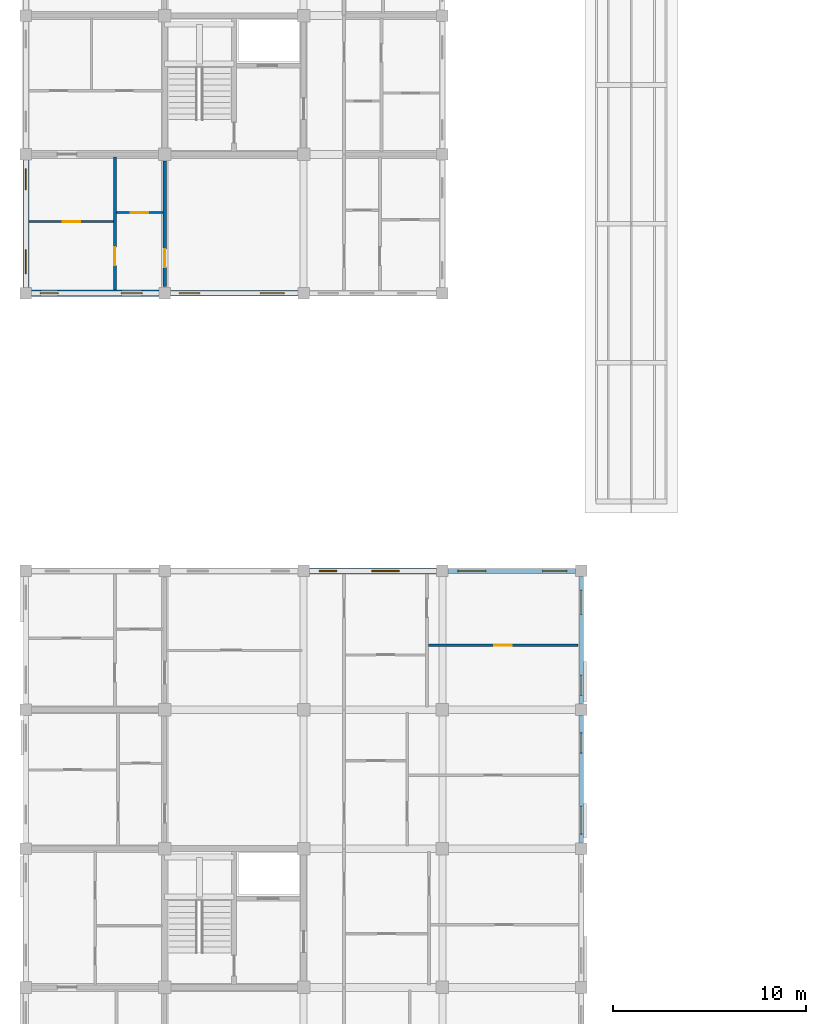
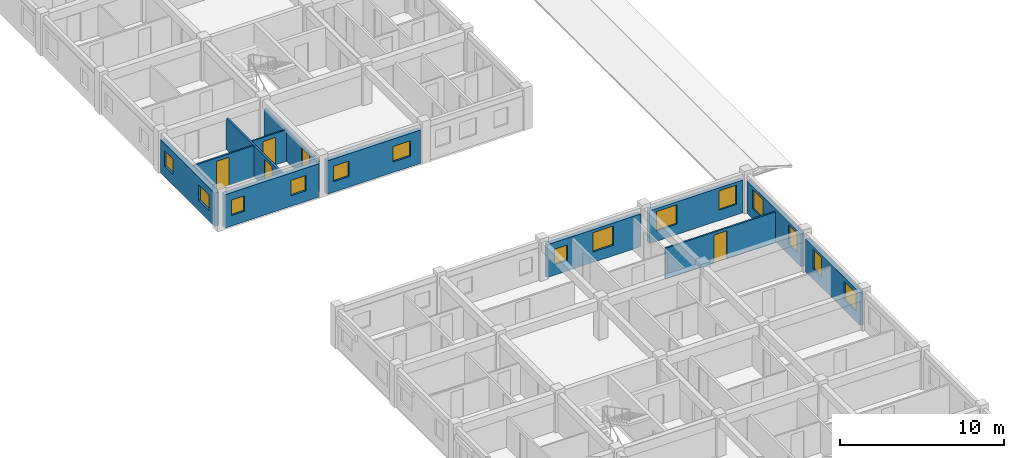
# One storey, part 19 of 50: 14 windows, 12 walls, 5 doors, 19 openings.
"""IFC4 building model written with IfcOpenShell, lengths in metres."""

from ifc_helpers import new_model, si_unit, direction, frame, frame_2d, origin, place, context, subcontext, project, spatial, rectangle, extrude, material, layer, layer_set, type_object, element, fill, save


model = new_model("IFC4")

# Units and contexts
model_context = context("Model", 3, precision=1e-05, world=origin(), true_north=direction((0.0, 1.0)))
body_context = subcontext(model_context, "Body", "Model", "MODEL_VIEW")
ifc_project = project(units=[si_unit("LENGTHUNIT", "METRE"), si_unit("AREAUNIT", "SQUARE_METRE"), si_unit("VOLUMEUNIT", "CUBIC_METRE"), si_unit("PLANEANGLEUNIT", "RADIAN"), si_unit("MASSUNIT", "GRAM", prefix="KILO"), si_unit("THERMODYNAMICTEMPERATUREUNIT", "KELVIN"), si_unit("POWERUNIT", "WATT")], contexts=[model_context])

# Site, building, storey
site_placement = place(None, origin())
site = spatial("IfcSite", under=ifc_project, at=site_placement, CompositionType="ELEMENT")
building_placement = place(site_placement, origin())
building = spatial("IfcBuilding", under=site, at=building_placement, Name="Tavuni Mirador Residences", CompositionType="ELEMENT")
storey_placement = place(building_placement, frame((0.0, 0.0, 4.5)))
storey = spatial("IfcBuildingStorey", under=building, at=storey_placement, Name="L01", CompositionType="ELEMENT", Elevation=4.5)

# Wall, opening, door
ifc_material_1 = material(Name="Precast concrete C40/50", Category="concrete")
ifc_layer_1 = layer(ifc_material_1, 0.1650390625, Name="Precast concrete C40/50", Category="concrete")
ifc_layer_set_1 = layer_set([ifc_layer_1], Name="Precast concrete C40/50")
wall_type_1 = type_object("IfcWallType", Name="WT-CORR165", PredefinedType="PARTITIONING", material=ifc_layer_set_1)
wall_1_placement = place(storey_placement, frame((10.800048828125, 65.14990234375, 0.0), z_axis=(0.0, 0.0, 1.0), x_axis=(0.0, 1.0, 0.0)))
wall_1 = element("IfcWall", 1, at=wall_1_placement, inside=storey, type_object=wall_type_1, Name="CORW-BLK-B-L01-1-00", PredefinedType="PARTITIONING", context=body_context, shape_type="SweptSolid", body=[
    extrude(rectangle(XDim=6.5, YDim=0.1650390625, at=frame_2d((3.25, 0.0))), origin(), (0.0, 0.0, 1.0), 2.260009765625),
])
opening_1_placement = place(wall_1_placement, frame((1.0, 0.0, 0.0)))
opening_1 = element("IfcOpeningElement", 2, at=opening_1_placement, cuts=wall_1, Name="Opening D-19", PredefinedType="OPENING", context=body_context, shape_type="SweptSolid", body=[
    extrude(rectangle(XDim=0.93994140625, YDim=2.1201171875, at=frame_2d((0.469970703125, 1.06005859375))), frame((0.0, 0.092529296875, 0.0), z_axis=(0.0, -1.0, 0.0), x_axis=(1.0, 0.0, 0.0)), (0.0, 0.0, 1.0), 0.18505859375),
])
ifc_material_2 = material(Name="Solid core iroko timber", Category="wood")
door_type_1 = type_object("IfcDoorType", Name="DT-FD60-940", OperationType="NOTDEFINED", PredefinedType="DOOR", material=ifc_material_2)
door_1_placement = place(opening_1_placement, origin())
door_1 = element("IfcDoor", 3, at=door_1_placement, inside=storey, type_object=door_type_1, Name="DR-2542", OperationType="SINGLE_SWING_LEFT", OverallHeight=2.1201171875, OverallWidth=0.93994140625, PredefinedType="DOOR", context=body_context, shape_type="SweptSolid", body=[
    extrude(rectangle(XDim=0.93994140625, YDim=2.1201171875, at=frame_2d((0.469970703125, 1.06005859375))), frame((0.0, 0.02490234375, 0.0), z_axis=(0.0, -1.0, 0.0), x_axis=(1.0, 0.0, 0.0)), (0.0, 0.0, 1.0), 0.050048828125),
])
fill(opening_1, door_1)

# Wall, openings, windows
ifc_material_3 = material(Name="Sgraffito lime-rendered precast concrete C40/50", Category="concrete")
ifc_layer_2 = layer(ifc_material_3, 0.2451171875, Name="Sgraffito lime-rendered precast concrete C40/50", Category="concrete")
ifc_layer_set_2 = layer_set([ifc_layer_2], Name="Sgraffito lime-rendered precast concrete C40/50")
wall_type_2 = type_object("IfcWallType", Name="WT-EXT-PC245", PredefinedType="SOLIDWALL", material=ifc_layer_set_2)
wall_2_placement = place(storey_placement, frame((32.39990234375, 43.5, 0.0), z_axis=(0.0, 0.0, 1.0), x_axis=(0.0, 1.0, 0.0)))
wall_2 = element("IfcWall", 4, at=wall_2_placement, inside=storey, type_object=wall_type_2, Name="EW-BLK-A-L01-E05", PredefinedType="SOLIDWALL", context=body_context, shape_type="SweptSolid", body=[
    extrude(rectangle(XDim=6.60009765625, YDim=0.2451171875, at=frame_2d((3.300048828125, 0.0))), origin(), (0.0, 0.0, 1.0), 2.43994140625),
])
opening_2_placement = place(wall_2_placement, frame((0.449951171875, 0.0, 0.780029296875)))
opening_2 = element("IfcOpeningElement", 5, at=opening_2_placement, cuts=wall_2, Name="Opening WN-26", PredefinedType="OPENING", context=body_context, shape_type="SweptSolid", body=[
    extrude(rectangle(XDim=1.050048828125, YDim=1.43994140625, at=frame_2d((0.52490234375, 0.719970703125))), frame((0.0, 0.132568359375, 0.0), z_axis=(0.0, -1.0, 0.0), x_axis=(1.0, 0.0, 0.0)), (0.0, 0.0, 1.0), 0.26513671875),
])
opening_3_placement = place(wall_2_placement, frame((4.64990234375, 0.0, 0.780029296875)))
opening_3 = element("IfcOpeningElement", 6, at=opening_3_placement, cuts=wall_2, Name="Opening WN-28", PredefinedType="OPENING", context=body_context, shape_type="SweptSolid", body=[
    extrude(rectangle(XDim=1.25, YDim=1.43994140625, at=frame_2d((0.625, 0.719970703125))), frame((0.0, 0.132568359375, 0.0), z_axis=(0.0, -1.0, 0.0), x_axis=(1.0, 0.0, 0.0)), (0.0, 0.0, 1.0), 0.26513671875),
])
ifc_material_4 = material(Name="Laminated solar-control glass", Category="glass")
window_type_1 = type_object("IfcWindowType", Name="WNT-26", PartitioningType="SINGLE_PANEL", PredefinedType="WINDOW", material=ifc_material_4)
window_1_placement = place(opening_2_placement, origin())
window_1 = element("IfcWindow", 7, at=window_1_placement, inside=storey, type_object=window_type_1, Name="WIN-0054", OverallHeight=1.43994140625, OverallWidth=1.050048828125, PartitioningType="SINGLE_PANEL", PredefinedType="WINDOW", context=body_context, shape_type="SweptSolid", body=[
    extrude(rectangle(XDim=1.050048828125, YDim=1.43994140625, at=frame_2d((0.52490234375, 0.719970703125))), frame((0.0, 0.030029296875, 0.0), z_axis=(0.0, -1.0, 0.0), x_axis=(1.0, 0.0, 0.0)), (0.0, 0.0, 1.0), 0.06005859375),
])
fill(opening_2, window_1)
window_type_2 = type_object("IfcWindowType", Name="WNT-28", PartitioningType="SINGLE_PANEL", PredefinedType="WINDOW", material=ifc_material_4)
window_2_placement = place(opening_3_placement, origin())
window_2 = element("IfcWindow", 8, at=window_2_placement, inside=storey, type_object=window_type_2, Name="WIN-0055", OverallHeight=1.43994140625, OverallWidth=1.25, PartitioningType="SINGLE_PANEL", PredefinedType="WINDOW", context=body_context, shape_type="SweptSolid", body=[
    extrude(rectangle(XDim=1.25, YDim=1.43994140625, at=frame_2d((0.625, 0.719970703125))), frame((0.0, 0.030029296875, 0.0), z_axis=(0.0, -1.0, 0.0), x_axis=(1.0, 0.0, 0.0)), (0.0, 0.0, 1.0), 0.06005859375),
])
fill(opening_3, window_2)

ifc_layer_3 = layer(ifc_material_3, 0.2548828125, Name="Sgraffito lime-rendered precast concrete C40/50", Category="concrete")
ifc_layer_set_3 = layer_set([ifc_layer_3], Name="Sgraffito lime-rendered precast concrete C40/50")
wall_type_3 = type_object("IfcWallType", Name="WT-EXT-PC255", PredefinedType="SOLIDWALL", material=ifc_layer_set_3)
wall_3_placement = place(storey_placement, frame((32.39990234375, 36.300048828125, 0.0), z_axis=(0.0, 0.0, 1.0), x_axis=(0.0, 1.0, 0.0)))
wall_3 = element("IfcWall", 9, at=wall_3_placement, inside=storey, type_object=wall_type_3, Name="EW-BLK-A-L01-E04", PredefinedType="SOLIDWALL", context=body_context, shape_type="SweptSolid", body=[
    extrude(rectangle(XDim=6.599853515625, YDim=0.2548828125, at=frame_2d((3.2998046875, 0.0))), origin(), (0.0, 0.0, 1.0), 2.43994140625),
])
opening_4_placement = place(wall_3_placement, frame((0.449951171875, 0.0, 0.780029296875)))
opening_4 = element("IfcOpeningElement", 10, at=opening_4_placement, cuts=wall_3, Name="Opening WN-24", PredefinedType="OPENING", context=body_context, shape_type="SweptSolid", body=[
    extrude(rectangle(XDim=1.4599609375, YDim=1.360107421875, at=frame_2d((0.72998046875, 0.68017578125))), frame((0.0, 0.137451171875, 0.0), z_axis=(0.0, -1.0, 0.0), x_axis=(1.0, 0.0, 0.0)), (0.0, 0.0, 1.0), 0.27490234375),
])
opening_5_placement = place(wall_3_placement, frame((4.64990234375, 0.0, 0.780029296875)))
opening_5 = element("IfcOpeningElement", 11, at=opening_5_placement, cuts=wall_3, Name="Opening WN-26", PredefinedType="OPENING", context=body_context, shape_type="SweptSolid", body=[
    extrude(rectangle(XDim=1.050048828125, YDim=1.43994140625, at=frame_2d((0.52490234375, 0.719970703125))), frame((0.0, 0.137451171875, 0.0), z_axis=(0.0, -1.0, 0.0), x_axis=(1.0, 0.0, 0.0)), (0.0, 0.0, 1.0), 0.27490234375),
])
window_type_3 = type_object("IfcWindowType", Name="WNT-24", PartitioningType="SINGLE_PANEL", PredefinedType="WINDOW", material=ifc_material_4)
window_3_placement = place(opening_4_placement, origin())
window_3 = element("IfcWindow", 12, at=window_3_placement, inside=storey, type_object=window_type_3, Name="WIN-0052", OverallHeight=1.360107421875, OverallWidth=1.4599609375, PartitioningType="SINGLE_PANEL", PredefinedType="WINDOW", context=body_context, shape_type="SweptSolid", body=[
    extrude(rectangle(XDim=1.4599609375, YDim=1.360107421875, at=frame_2d((0.72998046875, 0.68017578125))), frame((0.0, 0.030029296875, 0.0), z_axis=(0.0, -1.0, 0.0), x_axis=(1.0, 0.0, 0.0)), (0.0, 0.0, 1.0), 0.06005859375),
])
fill(opening_4, window_3)
window_4_placement = place(opening_5_placement, origin())
window_4 = element("IfcWindow", 13, at=window_4_placement, inside=storey, type_object=window_type_1, Name="WIN-0053", OverallHeight=1.43994140625, OverallWidth=1.050048828125, PartitioningType="SINGLE_PANEL", PredefinedType="WINDOW", context=body_context, shape_type="SweptSolid", body=[
    extrude(rectangle(XDim=1.050048828125, YDim=1.43994140625, at=frame_2d((0.52490234375, 0.719970703125))), frame((0.0, 0.030029296875, 0.0), z_axis=(0.0, -1.0, 0.0), x_axis=(1.0, 0.0, 0.0)), (0.0, 0.0, 1.0), 0.06005859375),
])
fill(opening_5, window_4)

ifc_layer_4 = layer(ifc_material_3, 0.27490234375, Name="Sgraffito lime-rendered precast concrete C40/50", Category="concrete")
ifc_layer_set_4 = layer_set([ifc_layer_4], Name="Sgraffito lime-rendered precast concrete C40/50")
wall_type_4 = type_object("IfcWallType", Name="WT-EXT-PC275", PredefinedType="SOLIDWALL", material=ifc_layer_set_4)
wall_4_placement = place(storey_placement, frame((32.10009765625, 50.39990234375, 0.0), z_axis=(0.0, 0.0, 1.0), x_axis=(-1.0, 0.0, 0.0)))
wall_4 = element("IfcWall", 14, at=wall_4_placement, inside=storey, type_object=wall_type_4, Name="EW-BLK-A-L01-N03", PredefinedType="SOLIDWALL", context=body_context, shape_type="SweptSolid", body=[
    extrude(rectangle(XDim=6.60009765625, YDim=0.27490234375, at=frame_2d((3.300048828125, 0.0))), origin(), (0.0, 0.0, 1.0), 2.43994140625),
])
opening_6_placement = place(wall_4_placement, frame((0.449951171875, 0.0, 0.780029296875)))
opening_6 = element("IfcOpeningElement", 15, at=opening_6_placement, cuts=wall_4, Name="Opening WN-28", PredefinedType="OPENING", context=body_context, shape_type="SweptSolid", body=[
    extrude(rectangle(XDim=1.25, YDim=1.43994140625, at=frame_2d((0.625, 0.719970703125))), frame((0.0, 0.1474609375, 0.0), z_axis=(0.0, -1.0, 0.0), x_axis=(1.0, 0.0, 0.0)), (0.0, 0.0, 1.0), 0.294921875),
])
opening_7_placement = place(wall_4_placement, frame((4.64990234375, 0.0, 0.780029296875)))
opening_7 = element("IfcOpeningElement", 16, at=opening_7_placement, cuts=wall_4, Name="Opening WN-30", PredefinedType="OPENING", context=body_context, shape_type="SweptSolid", body=[
    extrude(rectangle(XDim=1.449951171875, YDim=1.43994140625, at=frame_2d((0.72509765625, 0.719970703125))), frame((0.0, 0.1474609375, 0.0), z_axis=(0.0, -1.0, 0.0), x_axis=(1.0, 0.0, 0.0)), (0.0, 0.0, 1.0), 0.294921875),
])
window_5_placement = place(opening_6_placement, origin())
window_5 = element("IfcWindow", 17, at=window_5_placement, inside=storey, type_object=window_type_2, Name="WIN-0056", OverallHeight=1.43994140625, OverallWidth=1.25, PartitioningType="SINGLE_PANEL", PredefinedType="WINDOW", context=body_context, shape_type="SweptSolid", body=[
    extrude(rectangle(XDim=1.25, YDim=1.43994140625, at=frame_2d((0.625, 0.719970703125))), frame((0.0, 0.030029296875, 0.0), z_axis=(0.0, -1.0, 0.0), x_axis=(1.0, 0.0, 0.0)), (0.0, 0.0, 1.0), 0.06005859375),
])
fill(opening_6, window_5)
window_type_4 = type_object("IfcWindowType", Name="WNT-30", PartitioningType="SINGLE_PANEL", PredefinedType="WINDOW", material=ifc_material_4)
window_6_placement = place(opening_7_placement, origin())
window_6 = element("IfcWindow", 18, at=window_6_placement, inside=storey, type_object=window_type_4, Name="WIN-0057", OverallHeight=1.43994140625, OverallWidth=1.449951171875, PartitioningType="SINGLE_PANEL", PredefinedType="WINDOW", context=body_context, shape_type="SweptSolid", body=[
    extrude(rectangle(XDim=1.449951171875, YDim=1.43994140625, at=frame_2d((0.72509765625, 0.719970703125))), frame((0.0, 0.030029296875, 0.0), z_axis=(0.0, -1.0, 0.0), x_axis=(1.0, 0.0, 0.0)), (0.0, 0.0, 1.0), 0.06005859375),
])
fill(opening_7, window_6)

ifc_layer_5 = layer(ifc_material_3, 0.2900390625, Name="Sgraffito lime-rendered precast concrete C40/50", Category="concrete")
ifc_layer_set_5 = layer_set([ifc_layer_5], Name="Sgraffito lime-rendered precast concrete C40/50")
wall_type_5 = type_object("IfcWallType", Name="WT-EXT-PC290", PredefinedType="SOLIDWALL", material=ifc_layer_set_5)
wall_5_placement = place(storey_placement, frame((24.89990234375, 50.39990234375, 0.0), z_axis=(0.0, 0.0, 1.0), x_axis=(-1.0, 0.0, 0.0)))
wall_5 = element("IfcWall", 19, at=wall_5_placement, inside=storey, type_object=wall_type_5, Name="EW-BLK-A-L01-N02", PredefinedType="SOLIDWALL", context=body_context, shape_type="SweptSolid", body=[
    extrude(rectangle(XDim=6.599853515625, YDim=0.2900390625, at=frame_2d((3.2998046875, 0.0))), origin(), (0.0, 0.0, 1.0), 2.43994140625),
])
opening_8_placement = place(wall_5_placement, frame((1.925048828125, 0.0, 0.780029296875)))
opening_8 = element("IfcOpeningElement", 20, at=opening_8_placement, cuts=wall_5, Name="Opening WN-30", PredefinedType="OPENING", context=body_context, shape_type="SweptSolid", body=[
    extrude(rectangle(XDim=1.449951171875, YDim=1.43994140625, at=frame_2d((0.72509765625, 0.719970703125))), frame((0.0, 0.155029296875, 0.0), z_axis=(0.0, -1.0, 0.0), x_axis=(1.0, 0.0, 0.0)), (0.0, 0.0, 1.0), 0.31005859375),
])
opening_9_placement = place(wall_5_placement, frame((5.169921875, 0.0, 0.780029296875)))
opening_9 = element("IfcOpeningElement", 21, at=opening_9_placement, cuts=wall_5, Name="Opening WN-02", PredefinedType="OPENING", context=body_context, shape_type="SweptSolid", body=[
    extrude(rectangle(XDim=0.919921875, YDim=1.14990234375, at=frame_2d((0.4599609375, 0.574951171875))), frame((0.0, 0.155029296875, 0.0), z_axis=(0.0, -1.0, 0.0), x_axis=(1.0, 0.0, 0.0)), (0.0, 0.0, 1.0), 0.31005859375),
])
window_type_5 = type_object("IfcWindowType", Name="WNT-02", PartitioningType="SINGLE_PANEL", PredefinedType="WINDOW", material=ifc_material_4)
window_7_placement = place(opening_9_placement, origin())
window_7 = element("IfcWindow", 22, at=window_7_placement, inside=storey, type_object=window_type_5, Name="WIN-0059", OverallHeight=1.14990234375, OverallWidth=0.919921875, PartitioningType="SINGLE_PANEL", PredefinedType="WINDOW", context=body_context, shape_type="SweptSolid", body=[
    extrude(rectangle(XDim=0.919921875, YDim=1.14990234375, at=frame_2d((0.4599609375, 0.574951171875))), frame((0.0, 0.030029296875, 0.0), z_axis=(0.0, -1.0, 0.0), x_axis=(1.0, 0.0, 0.0)), (0.0, 0.0, 1.0), 0.06005859375),
])
fill(opening_9, window_7)
window_8_placement = place(opening_8_placement, origin())
window_8 = element("IfcWindow", 23, at=window_8_placement, inside=storey, type_object=window_type_4, Name="WIN-0058", OverallHeight=1.43994140625, OverallWidth=1.449951171875, PartitioningType="SINGLE_PANEL", PredefinedType="WINDOW", context=body_context, shape_type="SweptSolid", body=[
    extrude(rectangle(XDim=1.449951171875, YDim=1.43994140625, at=frame_2d((0.72509765625, 0.719970703125))), frame((0.0, 0.030029296875, 0.0), z_axis=(0.0, -1.0, 0.0), x_axis=(1.0, 0.0, 0.0)), (0.0, 0.0, 1.0), 0.06005859375),
])
fill(opening_8, window_8)

ifc_layer_6 = layer(ifc_material_3, 0.304931640625, Name="Sgraffito lime-rendered precast concrete C40/50", Category="concrete")
ifc_layer_set_6 = layer_set([ifc_layer_6], Name="Sgraffito lime-rendered precast concrete C40/50")
wall_type_6 = type_object("IfcWallType", Name="WT-EXT-PC305", PredefinedType="SOLIDWALL", material=ifc_layer_set_6)
wall_6_placement = place(storey_placement, frame((11.10009765625, 64.800048828125, 0.0), z_axis=(0.0, 0.0, 1.0), x_axis=(1.0, 0.0, 0.0)))
wall_6 = element("IfcWall", 24, at=wall_6_placement, inside=storey, type_object=wall_type_6, Name="EW-BLK-B-L01-S01", PredefinedType="SOLIDWALL", context=body_context, shape_type="SweptSolid", body=[
    extrude(rectangle(XDim=6.599853515625, YDim=0.304931640625, at=frame_2d((3.2998046875, 0.0))), origin(), (0.0, 0.0, 1.0), 2.47998046875),
])
opening_10_placement = place(wall_6_placement, frame((0.449951171875, 0.0, 0.780029296875)))
opening_10 = element("IfcOpeningElement", 25, at=opening_10_placement, cuts=wall_6, Name="Opening WN-04", PredefinedType="OPENING", context=body_context, shape_type="SweptSolid", body=[
    extrude(rectangle(XDim=1.080078125, YDim=1.14990234375, at=frame_2d((0.5400390625, 0.574951171875))), frame((0.0, 0.16259765625, 0.0), z_axis=(0.0, -1.0, 0.0), x_axis=(1.0, 0.0, 0.0)), (0.0, 0.0, 1.0), 0.324951171875),
])
opening_11_placement = place(wall_6_placement, frame((4.64990234375, 0.0, 0.780029296875)))
opening_11 = element("IfcOpeningElement", 26, at=opening_11_placement, cuts=wall_6, Name="Opening WN-06", PredefinedType="OPENING", context=body_context, shape_type="SweptSolid", body=[
    extrude(rectangle(XDim=1.239990234375, YDim=1.14990234375, at=frame_2d((0.6201171875, 0.574951171875))), frame((0.0, 0.16259765625, 0.0), z_axis=(0.0, -1.0, 0.0), x_axis=(1.0, 0.0, 0.0)), (0.0, 0.0, 1.0), 0.324951171875),
])
window_type_6 = type_object("IfcWindowType", Name="WNT-04", PartitioningType="SINGLE_PANEL", PredefinedType="WINDOW", material=ifc_material_4)
window_9_placement = place(opening_10_placement, origin())
window_9 = element("IfcWindow", 27, at=window_9_placement, inside=storey, type_object=window_type_6, Name="WIN-0572", OverallHeight=1.14990234375, OverallWidth=1.080078125, PartitioningType="SINGLE_PANEL", PredefinedType="WINDOW", context=body_context, shape_type="SweptSolid", body=[
    extrude(rectangle(XDim=1.080078125, YDim=1.14990234375, at=frame_2d((0.5400390625, 0.574951171875))), frame((0.0, 0.030029296875, 0.0), z_axis=(0.0, -1.0, 0.0), x_axis=(1.0, 0.0, 0.0)), (0.0, 0.0, 1.0), 0.06005859375),
])
fill(opening_10, window_9)
window_type_7 = type_object("IfcWindowType", Name="WNT-06", PartitioningType="SINGLE_PANEL", PredefinedType="WINDOW", material=ifc_material_4)
window_10_placement = place(opening_11_placement, origin())
window_10 = element("IfcWindow", 28, at=window_10_placement, inside=storey, type_object=window_type_7, Name="WIN-0573", OverallHeight=1.14990234375, OverallWidth=1.239990234375, PartitioningType="SINGLE_PANEL", PredefinedType="WINDOW", context=body_context, shape_type="SweptSolid", body=[
    extrude(rectangle(XDim=1.239990234375, YDim=1.14990234375, at=frame_2d((0.6201171875, 0.574951171875))), frame((0.0, 0.030029296875, 0.0), z_axis=(0.0, -1.0, 0.0), x_axis=(1.0, 0.0, 0.0)), (0.0, 0.0, 1.0), 0.06005859375),
])
fill(opening_11, window_10)

ifc_layer_7 = layer(ifc_material_3, 0.31494140625, Name="Sgraffito lime-rendered precast concrete C40/50", Category="concrete")
ifc_layer_set_7 = layer_set([ifc_layer_7], Name="Sgraffito lime-rendered precast concrete C40/50")
wall_type_7 = type_object("IfcWallType", Name="WT-EXT-PC315", PredefinedType="SOLIDWALL", material=ifc_layer_set_7)
wall_7_placement = place(storey_placement, frame((3.89990234375, 64.800048828125, 0.0), z_axis=(0.0, 0.0, 1.0), x_axis=(1.0, 0.0, 0.0)))
wall_7 = element("IfcWall", 29, at=wall_7_placement, inside=storey, type_object=wall_type_7, Name="EW-BLK-B-L01-S00", PredefinedType="SOLIDWALL", context=body_context, shape_type="SweptSolid", body=[
    extrude(rectangle(XDim=6.60009765625, YDim=0.31494140625, at=frame_2d((3.300048828125, 0.0))), origin(), (0.0, 0.0, 1.0), 2.47998046875),
])
opening_12_placement = place(wall_7_placement, frame((0.449951171875, 0.0, 0.780029296875)))
opening_12 = element("IfcOpeningElement", 30, at=opening_12_placement, cuts=wall_7, Name="Opening WN-02", PredefinedType="OPENING", context=body_context, shape_type="SweptSolid", body=[
    extrude(rectangle(XDim=0.919921875, YDim=1.14990234375, at=frame_2d((0.4599609375, 0.574951171875))), frame((0.0, 0.16748046875, 0.0), z_axis=(0.0, -1.0, 0.0), x_axis=(1.0, 0.0, 0.0)), (0.0, 0.0, 1.0), 0.3349609375),
])
opening_13_placement = place(wall_7_placement, frame((4.64990234375, 0.0, 0.780029296875)))
opening_13 = element("IfcOpeningElement", 31, at=opening_13_placement, cuts=wall_7, Name="Opening WN-04", PredefinedType="OPENING", context=body_context, shape_type="SweptSolid", body=[
    extrude(rectangle(XDim=1.080078125, YDim=1.14990234375, at=frame_2d((0.5400390625, 0.574951171875))), frame((0.0, 0.16748046875, 0.0), z_axis=(0.0, -1.0, 0.0), x_axis=(1.0, 0.0, 0.0)), (0.0, 0.0, 1.0), 0.3349609375),
])
window_11_placement = place(opening_12_placement, origin())
window_11 = element("IfcWindow", 32, at=window_11_placement, inside=storey, type_object=window_type_5, Name="WIN-0570", OverallHeight=1.14990234375, OverallWidth=0.919921875, PartitioningType="SINGLE_PANEL", PredefinedType="WINDOW", context=body_context, shape_type="SweptSolid", body=[
    extrude(rectangle(XDim=0.919921875, YDim=1.14990234375, at=frame_2d((0.4599609375, 0.574951171875))), frame((0.0, 0.030029296875, 0.0), z_axis=(0.0, -1.0, 0.0), x_axis=(1.0, 0.0, 0.0)), (0.0, 0.0, 1.0), 0.06005859375),
])
fill(opening_12, window_11)
window_12_placement = place(opening_13_placement, origin())
window_12 = element("IfcWindow", 33, at=window_12_placement, inside=storey, type_object=window_type_6, Name="WIN-0571", OverallHeight=1.14990234375, OverallWidth=1.080078125, PartitioningType="SINGLE_PANEL", PredefinedType="WINDOW", context=body_context, shape_type="SweptSolid", body=[
    extrude(rectangle(XDim=1.080078125, YDim=1.14990234375, at=frame_2d((0.5400390625, 0.574951171875))), frame((0.0, 0.030029296875, 0.0), z_axis=(0.0, -1.0, 0.0), x_axis=(1.0, 0.0, 0.0)), (0.0, 0.0, 1.0), 0.06005859375),
])
fill(opening_13, window_12)

wall_8_placement = place(storey_placement, frame((3.60009765625, 71.699951171875, 0.0), z_axis=(0.0, 0.0, 1.0), x_axis=(0.0, -1.0, 0.0)))
wall_8 = element("IfcWall", 34, at=wall_8_placement, inside=storey, type_object=wall_type_7, Name="EW-BLK-B-L01-W00", PredefinedType="SOLIDWALL", context=body_context, shape_type="SweptSolid", body=[
    extrude(rectangle(XDim=6.599853515625, YDim=0.31494140625, at=frame_2d((3.2998046875, 0.0))), origin(), (0.0, 0.0, 1.0), 2.47998046875),
])
opening_14_placement = place(wall_8_placement, frame((0.449951171875, 0.0, 0.780029296875)))
opening_14 = element("IfcOpeningElement", 35, at=opening_14_placement, cuts=wall_8, Name="Opening WN-04", PredefinedType="OPENING", context=body_context, shape_type="SweptSolid", body=[
    extrude(rectangle(XDim=1.080078125, YDim=1.14990234375, at=frame_2d((0.5400390625, 0.574951171875))), frame((0.0, 0.16748046875, 0.0), z_axis=(0.0, -1.0, 0.0), x_axis=(1.0, 0.0, 0.0)), (0.0, 0.0, 1.0), 0.3349609375),
])
opening_15_placement = place(wall_8_placement, frame((4.64990234375, 0.0, 0.780029296875)))
opening_15 = element("IfcOpeningElement", 36, at=opening_15_placement, cuts=wall_8, Name="Opening WN-06", PredefinedType="OPENING", context=body_context, shape_type="SweptSolid", body=[
    extrude(rectangle(XDim=1.239990234375, YDim=1.14990234375, at=frame_2d((0.6201171875, 0.574951171875))), frame((0.0, 0.16748046875, 0.0), z_axis=(0.0, -1.0, 0.0), x_axis=(1.0, 0.0, 0.0)), (0.0, 0.0, 1.0), 0.3349609375),
])
window_13_placement = place(opening_14_placement, origin())
window_13 = element("IfcWindow", 37, at=window_13_placement, inside=storey, type_object=window_type_6, Name="WIN-0602", OverallHeight=1.14990234375, OverallWidth=1.080078125, PartitioningType="SINGLE_PANEL", PredefinedType="WINDOW", context=body_context, shape_type="SweptSolid", body=[
    extrude(rectangle(XDim=1.080078125, YDim=1.14990234375, at=frame_2d((0.5400390625, 0.574951171875))), frame((0.0, 0.030029296875, 0.0), z_axis=(0.0, -1.0, 0.0), x_axis=(1.0, 0.0, 0.0)), (0.0, 0.0, 1.0), 0.06005859375),
])
fill(opening_14, window_13)
window_14_placement = place(opening_15_placement, origin())
window_14 = element("IfcWindow", 38, at=window_14_placement, inside=storey, type_object=window_type_7, Name="WIN-0603", OverallHeight=1.14990234375, OverallWidth=1.239990234375, PartitioningType="SINGLE_PANEL", PredefinedType="WINDOW", context=body_context, shape_type="SweptSolid", body=[
    extrude(rectangle(XDim=1.239990234375, YDim=1.14990234375, at=frame_2d((0.6201171875, 0.574951171875))), frame((0.0, 0.030029296875, 0.0), z_axis=(0.0, -1.0, 0.0), x_axis=(1.0, 0.0, 0.0)), (0.0, 0.0, 1.0), 0.06005859375),
])
fill(opening_15, window_14)

# Wall, opening, door
ifc_material_5 = material(Name="Acoustic gypsum and concrete block partition", Category="concrete")
ifc_layer_8 = layer(ifc_material_5, 0.10498046875, Name="Acoustic gypsum and concrete block partition", Category="concrete")
ifc_layer_set_8 = layer_set([ifc_layer_8], Name="Acoustic gypsum and concrete block partition")
wall_type_8 = type_object("IfcWallType", Name="WT-PART105", PredefinedType="PARTITIONING", material=ifc_layer_set_8)
wall_9_placement = place(storey_placement, frame((8.2900390625, 68.97998046875, 0.0), z_axis=(0.0, 0.0, 1.0), x_axis=(1.0, 0.0, 0.0)))
wall_9 = element("IfcWall", 39, at=wall_9_placement, inside=storey, type_object=wall_type_8, Name="PW-BLK-B-L01-W00-IN1", PredefinedType="PARTITIONING", context=body_context, shape_type="SweptSolid", body=[
    extrude(rectangle(XDim=2.419921875, YDim=0.10498046875, at=frame_2d((1.2099609375, 0.0))), origin(), (0.0, 0.0, 1.0), 2.344970703125),
])
opening_16_placement = place(wall_9_placement, frame((0.760009765625, 0.0, 0.0)))
opening_16 = element("IfcOpeningElement", 40, at=opening_16_placement, cuts=wall_9, Name="Opening D-09", PredefinedType="OPENING", context=body_context, shape_type="SweptSolid", body=[
    extrude(rectangle(XDim=0.89990234375, YDim=2.050048828125, at=frame_2d((0.449951171875, 1.02490234375))), frame((0.0, 0.0625, 0.0), z_axis=(0.0, -1.0, 0.0), x_axis=(1.0, 0.0, 0.0)), (0.0, 0.0, 1.0), 0.125),
])
door_type_2 = type_object("IfcDoorType", Name="DT-WC900", OperationType="NOTDEFINED", PredefinedType="DOOR", material=ifc_material_2)
door_2_placement = place(opening_16_placement, origin())
door_2 = element("IfcDoor", 41, at=door_2_placement, inside=storey, type_object=door_type_2, Name="DR-3447", OperationType="SINGLE_SWING_RIGHT", OverallHeight=2.050048828125, OverallWidth=0.89990234375, PredefinedType="DOOR", context=body_context, shape_type="SweptSolid", body=[
    extrude(rectangle(XDim=0.89990234375, YDim=2.050048828125, at=frame_2d((0.449951171875, 1.02490234375))), frame((0.0, 0.02490234375, 0.0), z_axis=(0.0, -1.0, 0.0), x_axis=(1.0, 0.0, 0.0)), (0.0, 0.0, 1.0), 0.050048828125),
])
fill(opening_16, door_2)

ifc_layer_9 = layer(ifc_material_5, 0.114990234375, Name="Acoustic gypsum and concrete block partition", Category="concrete")
ifc_layer_set_9 = layer_set([ifc_layer_9], Name="Acoustic gypsum and concrete block partition")
wall_type_9 = type_object("IfcWallType", Name="WT-PART115", PredefinedType="PARTITIONING", material=ifc_layer_set_9)
wall_10_placement = place(storey_placement, frame((24.469970703125, 46.550048828125, 0.0), z_axis=(0.0, 0.0, 1.0), x_axis=(1.0, 0.0, 0.0)))
wall_10 = element("IfcWall", 42, at=wall_10_placement, inside=storey, type_object=wall_type_9, Name="PW-BLK-A-L01-E05-OUT", PredefinedType="PARTITIONING", context=body_context, shape_type="SweptSolid", body=[
    extrude(rectangle(XDim=7.755126953125, YDim=0.114990234375, at=frame_2d((3.87744140625, 0.0))), origin(), (0.0, 0.0, 1.0), 2.304931640625),
])
opening_17_placement = place(wall_10_placement, frame((3.427490234375, 0.0, 0.0)))
opening_17 = element("IfcOpeningElement", 43, at=opening_17_placement, cuts=wall_10, Name="Opening D-07", PredefinedType="OPENING", context=body_context, shape_type="SweptSolid", body=[
    extrude(rectangle(XDim=0.89990234375, YDim=2.10009765625, at=frame_2d((0.449951171875, 1.050048828125))), frame((0.0, 0.0673828125, 0.0), z_axis=(0.0, -1.0, 0.0), x_axis=(1.0, 0.0, 0.0)), (0.0, 0.0, 1.0), 0.135009765625),
])
door_type_3 = type_object("IfcDoorType", Name="DT-BED900", OperationType="NOTDEFINED", PredefinedType="DOOR", material=ifc_material_2)
door_3_placement = place(opening_17_placement, origin())
door_3 = element("IfcDoor", 44, at=door_3_placement, inside=storey, type_object=door_type_3, Name="DR-2987", OperationType="SINGLE_SWING_LEFT", OverallHeight=2.10009765625, OverallWidth=0.89990234375, PredefinedType="DOOR", context=body_context, shape_type="SweptSolid", body=[
    extrude(rectangle(XDim=0.89990234375, YDim=2.10009765625, at=frame_2d((0.449951171875, 1.050048828125))), frame((0.0, 0.02490234375, 0.0), z_axis=(0.0, -1.0, 0.0), x_axis=(1.0, 0.0, 0.0)), (0.0, 0.0, 1.0), 0.050048828125),
])
fill(opening_17, door_3)

wall_11_placement = place(storey_placement, frame((3.77490234375, 68.52001953125, 0.0), z_axis=(0.0, 0.0, 1.0), x_axis=(1.0, 0.0, 0.0)))
wall_11 = element("IfcWall", 45, at=wall_11_placement, inside=storey, type_object=wall_type_9, Name="PW-BLK-B-L01-W00-OUT", PredefinedType="PARTITIONING", context=body_context, shape_type="SweptSolid", body=[
    extrude(rectangle(XDim=4.375, YDim=0.114990234375, at=frame_2d((2.1875, 0.0))), origin(), (0.0, 0.0, 1.0), 2.344970703125),
])
opening_18_placement = place(wall_11_placement, frame((1.737548828125, 0.0, 0.0)))
opening_18 = element("IfcOpeningElement", 46, at=opening_18_placement, cuts=wall_11, Name="Opening D-07", PredefinedType="OPENING", context=body_context, shape_type="SweptSolid", body=[
    extrude(rectangle(XDim=0.89990234375, YDim=2.10009765625, at=frame_2d((0.449951171875, 1.050048828125))), frame((0.0, 0.0673828125, 0.0), z_axis=(0.0, -1.0, 0.0), x_axis=(1.0, 0.0, 0.0)), (0.0, 0.0, 1.0), 0.135009765625),
])
door_4_placement = place(opening_18_placement, origin())
door_4 = element("IfcDoor", 47, at=door_4_placement, inside=storey, type_object=door_type_3, Name="DR-3446", OperationType="SINGLE_SWING_LEFT", OverallHeight=2.10009765625, OverallWidth=0.89990234375, PredefinedType="DOOR", context=body_context, shape_type="SweptSolid", body=[
    extrude(rectangle(XDim=0.89990234375, YDim=2.10009765625, at=frame_2d((0.449951171875, 1.050048828125))), frame((0.0, 0.02490234375, 0.0), z_axis=(0.0, -1.0, 0.0), x_axis=(1.0, 0.0, 0.0)), (0.0, 0.0, 1.0), 0.050048828125),
])
fill(opening_18, door_4)

ifc_layer_10 = layer(ifc_material_5, 0.139892578125, Name="Acoustic gypsum and concrete block partition", Category="concrete")
ifc_layer_set_10 = layer_set([ifc_layer_10], Name="Acoustic gypsum and concrete block partition")
wall_type_10 = type_object("IfcWallType", Name="WT-PART140", PredefinedType="PARTITIONING", material=ifc_layer_set_10)
wall_12_placement = place(storey_placement, frame((8.219970703125, 64.97509765625, 0.0), z_axis=(0.0, 0.0, 1.0), x_axis=(0.0, 1.0, 0.0)))
wall_12 = element("IfcWall", 48, at=wall_12_placement, inside=storey, type_object=wall_type_10, Name="PW-BLK-B-L01-W00-MID", PredefinedType="PARTITIONING", context=body_context, shape_type="SweptSolid", body=[
    extrude(rectangle(XDim=6.885009765625, YDim=0.139892578125, at=frame_2d((3.4423828125, 0.0))), origin(), (0.0, 0.0, 1.0), 2.344970703125),
])
opening_19_placement = place(wall_12_placement, frame((1.27490234375, 0.0, 0.0)))
opening_19 = element("IfcOpeningElement", 49, at=opening_19_placement, cuts=wall_12, Name="Opening D-05", PredefinedType="OPENING", context=body_context, shape_type="SweptSolid", body=[
    extrude(rectangle(XDim=0.949951171875, YDim=2.10009765625, at=frame_2d((0.47509765625, 1.050048828125))), frame((0.0, 0.080078125, 0.0), z_axis=(0.0, -1.0, 0.0), x_axis=(1.0, 0.0, 0.0)), (0.0, 0.0, 1.0), 0.159912109375),
])
door_type_4 = type_object("IfcDoorType", Name="DT-INT950", OperationType="NOTDEFINED", PredefinedType="DOOR", material=ifc_material_2)
door_5_placement = place(opening_19_placement, origin())
door_5 = element("IfcDoor", 50, at=door_5_placement, inside=storey, type_object=door_type_4, Name="DR-3448", OperationType="SINGLE_SWING_LEFT", OverallHeight=2.10009765625, OverallWidth=0.949951171875, PredefinedType="DOOR", context=body_context, shape_type="SweptSolid", body=[
    extrude(rectangle(XDim=0.949951171875, YDim=2.10009765625, at=frame_2d((0.47509765625, 1.050048828125))), frame((0.0, 0.02490234375, 0.0), z_axis=(0.0, -1.0, 0.0), x_axis=(1.0, 0.0, 0.0)), (0.0, 0.0, 1.0), 0.050048828125),
])
fill(opening_19, door_5)

save(model, "model.ifc")
